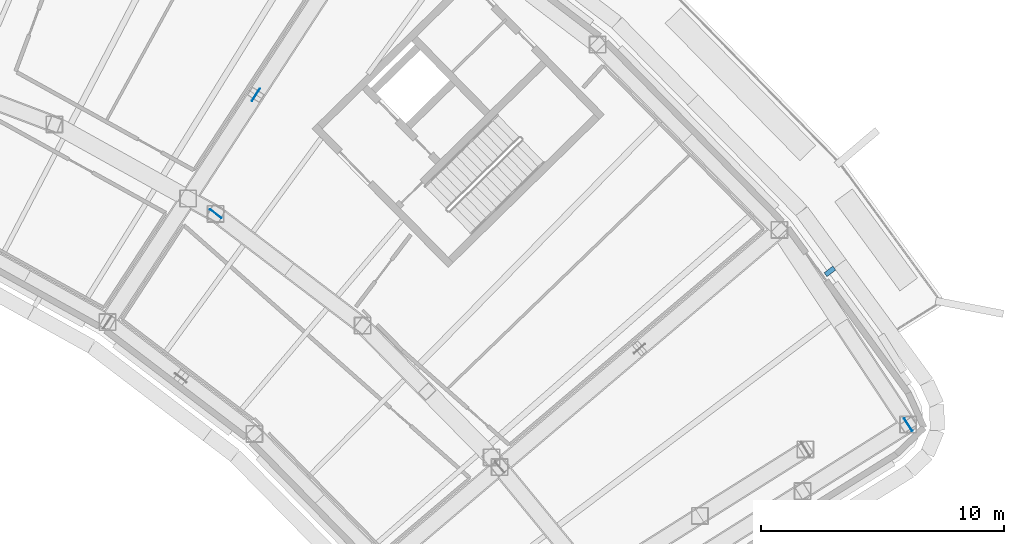
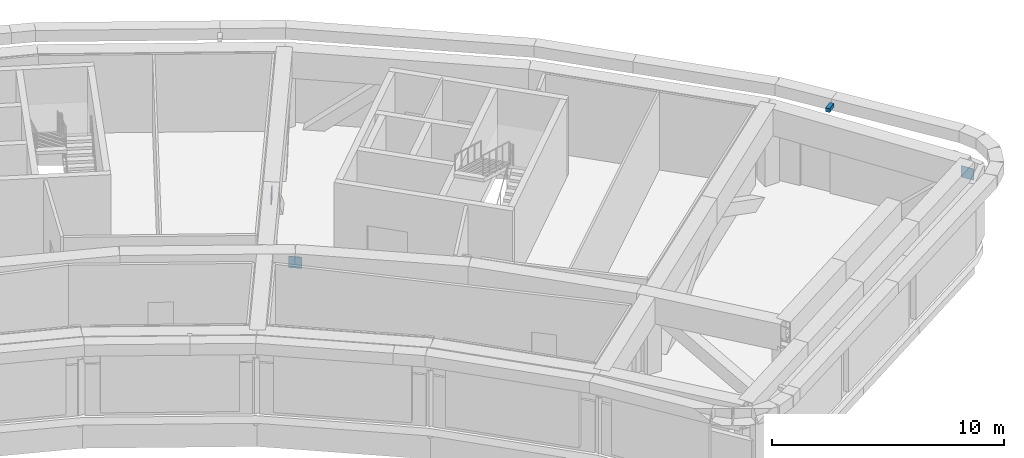
# One storey, part 19 of 25: 4 discrete accessories.
"""IFC4 building model written with IfcOpenShell, lengths in metres."""

import ifcopenshell
import ifcopenshell.guid

model = None  # the IFC model being written
_history = None  # IfcOwnerHistory: only IFC2X3 demands one
_inside = {}  # id of a spatial element -> (the spatial element, [elements in it])
_under = {}  # id of a project, library or spatial element -> (it, [spatial elements below it])
_declared = {}  # id of a project -> (the project, [libraries it declares])
_typed = {}  # id of a type object -> (the type object, [elements of that type])
_made_of = {}  # id of a material, layer set ... -> (it, [elements and type objects made of it])


def new_model(schema):
    """Start an empty IFC model of exactly this schema.

    Asked for "IFC4X3", IfcOpenShell would pick the latest addendum, in which some entities
    have other attributes; the version numbers below select the first issue.
    IFC2X3 requires an IfcOwnerHistory on every rooted entity: one is made here for all.
    """
    global model, _history
    if schema == "IFC4X3":
        model = ifcopenshell.file(schema_version=(4, 3, 0, 0))
    else:
        model = ifcopenshell.file(schema=schema)
    _inside.clear()
    _under.clear()
    _declared.clear()
    _typed.clear()
    _made_of.clear()
    _history = None
    if model.schema == "IFC2X3":
        org = make("IfcOrganization", Name="unknown")
        user = make(
            "IfcPersonAndOrganization",
            ThePerson=make("IfcPerson", FamilyName="unknown"),
            TheOrganization=org,
        )
        app = make(
            "IfcApplication",
            ApplicationDeveloper=org,
            Version="unknown",
            ApplicationFullName="unknown",
            ApplicationIdentifier="unknown",
        )
        _history = make(
            "IfcOwnerHistory",
            OwningUser=user,
            OwningApplication=app,
            ChangeAction="ADDED",
            CreationDate=0,
        )
    return model


def make(cls, **values):
    """One entity of the class cls with the attributes given. An attribute that is None is left unset."""
    return model.create_entity(
        cls, **{name: value for name, value in values.items() if value is not None}
    )


def rooted(cls, **values):
    """An entity with a GlobalId (a new one), such as an element, a storey or a relation."""
    return make(cls, GlobalId=ifcopenshell.guid.new(), OwnerHistory=_history, **values)


def si_unit(unit_type, name, prefix=None):
    """IfcSIUnit, for example si_unit("LENGTHUNIT", "METRE", prefix="MILLI")."""
    return make("IfcSIUnit", UnitType=unit_type, Prefix=prefix, Name=name)


def assignment(units):
    """IfcUnitAssignment: the units of a project."""
    return None if units is None else make("IfcUnitAssignment", Units=units)


def point(xyz):
    """IfcCartesianPoint."""
    return None if xyz is None else make("IfcCartesianPoint", Coordinates=xyz)


def direction(xyz):
    """IfcDirection."""
    return None if xyz is None else make("IfcDirection", DirectionRatios=xyz)


def frame(location, z_axis=None, x_axis=None):
    """IfcAxis2Placement3D, a coordinate frame: its origin and axes. An axis left out is left unset."""
    return make(
        "IfcAxis2Placement3D",
        Location=point(location),
        Axis=direction(z_axis),
        RefDirection=direction(x_axis),
    )


def frame_2d(location, x_axis=None):
    """IfcAxis2Placement2D, a coordinate frame in the plane: its origin and x axis."""
    return make(
        "IfcAxis2Placement2D", Location=point(location), RefDirection=direction(x_axis)
    )


def origin():
    """The frame at (0, 0, 0) with its axes left unset."""
    return frame((0.0, 0.0, 0.0))


def origin_2d():
    """The frame at (0, 0) in the plane with its x axis left unset."""
    return frame_2d((0.0, 0.0))


def place(relative_to, where):
    """IfcLocalPlacement: puts the frame where relative to a parent placement (None: the world)."""
    return make(
        "IfcLocalPlacement", PlacementRelTo=relative_to, RelativePlacement=where
    )


def context(
    kind, dimensions, precision=None, world=None, true_north=None, identifier=None
):
    """IfcGeometricRepresentationContext, for example the 3D "Model" context."""
    return make(
        "IfcGeometricRepresentationContext",
        ContextIdentifier=identifier,
        ContextType=kind,
        CoordinateSpaceDimension=dimensions,
        Precision=precision,
        WorldCoordinateSystem=world,
        TrueNorth=true_north,
    )


def subcontext(parent, identifier, kind, view, scale=None):
    """IfcGeometricRepresentationSubContext, for example "Body" below "Model"."""
    return make(
        "IfcGeometricRepresentationSubContext",
        ContextIdentifier=identifier,
        ContextType=kind,
        ParentContext=parent,
        TargetScale=scale,
        TargetView=view,
    )


def project(units=None, contexts=None):
    """IfcProject with its units and contexts."""
    return rooted(
        "IfcProject",
        Name="project",
        RepresentationContexts=contexts,
        UnitsInContext=assignment(units),
    )


def spatial(cls, under=None, at=None, **own):
    """A site, building, storey or space (cls), placed at a placement, below another one or the project."""
    s = rooted(cls, ObjectPlacement=at, **own)
    if under is not None:
        _under.setdefault(under.id(), (under, []))[1].append(s)
    return s


def profile(cls, at=None, kind="AREA", **sizes):
    """A parametric profile (cls). Its sizes go by their IFC names, for example OverallWidth=200.0."""
    return make(cls, ProfileType=kind, Position=at, **sizes)


def rectangle(**sizes):
    """IfcRectangleProfileDef."""
    return profile("IfcRectangleProfileDef", **sizes)


def extrude(swept, where, along, depth):
    """IfcExtrudedAreaSolid: the profile swept, set in the frame where, extruded along a direction by depth."""
    return make(
        "IfcExtrudedAreaSolid",
        SweptArea=swept,
        Position=where,
        ExtrudedDirection=direction(along),
        Depth=depth,
    )


def shape(context_of_items, identifier, shape_type, items):
    """IfcShapeRepresentation: the items that make up one representation, for example the "Body"."""
    return make(
        "IfcShapeRepresentation",
        ContextOfItems=context_of_items,
        RepresentationIdentifier=identifier,
        RepresentationType=shape_type,
        Items=items,
    )


def material(Name=None, Category=None):
    """IfcMaterial."""
    return make("IfcMaterial", Name=Name, Category=Category)


def made_of(thing, what):
    """Note that an element or type object is made of a material, layer set ...; save() writes the relation."""
    if what is not None:
        _made_of.setdefault(what.id(), (what, []))[1].append(thing)
    return thing


def type_object(cls, material=None, **own):
    """A type object (cls), such as IfcWallType, which elements share."""
    return made_of(rooted(cls, **own), material)


def element(
    cls,
    number,
    at=None,
    inside=None,
    cuts=None,
    type_object=None,
    material=None,
    context=None,
    identifier="Body",
    shape_type=None,
    held_by="IfcProductDefinitionShape",
    body=None,
    shapes=None,
    **own,
):
    """One element of the class cls, such as IfcWall. Its Tag is "e" and its number.

    at: its placement. inside: the storey or other place that contains it. cuts: it is an
    opening in that element (IfcRelVoidsElement). A single representation is given by context,
    identifier, shape_type and body (its items); several are given by shapes. held_by: the class
    of the entity that holds the representations. save() writes the other relations.
    """
    e = rooted(cls, Tag="e%d" % number, ObjectPlacement=at, **own)
    if body is not None:
        shapes = [shape(context, identifier, shape_type, body)]
    if shapes is not None:
        e.Representation = make(held_by, Representations=shapes)
    if inside is not None:
        _inside.setdefault(inside.id(), (inside, []))[1].append(e)
    if cuts is not None:
        rooted(
            "IfcRelVoidsElement", RelatingBuildingElement=cuts, RelatedOpeningElement=e
        )
    if type_object is not None:
        _typed.setdefault(type_object.id(), (type_object, []))[1].append(e)
    return made_of(e, material)


def aggregate(whole, parts):
    """IfcRelAggregates: a whole, such as a stair, and the parts it consists of."""
    return rooted("IfcRelAggregates", RelatingObject=whole, RelatedObjects=parts)


def save(model, path):
    """Write the relations noted so far, then the file.

    IfcRelAggregates (storeys below a building ...), IfcRelContainedInSpatialStructure (elements
    in a storey), IfcRelDefinesByType, IfcRelAssociatesMaterial and IfcRelDeclares: one each for
    every whole, place, type object, material and project.
    """
    for whole, parts in _under.values():
        aggregate(whole, parts)
    for where, things in _inside.values():
        rooted(
            "IfcRelContainedInSpatialStructure",
            RelatedElements=things,
            RelatingStructure=where,
        )
    for kind, things in _typed.values():
        rooted("IfcRelDefinesByType", RelatedObjects=things, RelatingType=kind)
    for what, things in _made_of.values():
        rooted("IfcRelAssociatesMaterial", RelatedObjects=things, RelatingMaterial=what)
    for by, libraries in _declared.values():
        rooted("IfcRelDeclares", RelatingContext=by, RelatedDefinitions=libraries)
    model.write(path)


model = new_model("IFC4")

# Units and contexts
model_context = context("Model", 3, precision=1e-05, world=origin(), true_north=direction((0.0, 1.0)))
body_context = subcontext(model_context, "Body", "Model", "MODEL_VIEW")
ifc_project = project(units=[si_unit("LENGTHUNIT", "METRE"), si_unit("AREAUNIT", "SQUARE_METRE"), si_unit("VOLUMEUNIT", "CUBIC_METRE"), si_unit("PLANEANGLEUNIT", "RADIAN"), si_unit("MASSUNIT", "GRAM", prefix="KILO")], contexts=[model_context])

# Site, building, storey
site_placement = place(None, origin())
site = spatial("IfcSite", under=ifc_project, at=site_placement, CompositionType="ELEMENT")
building_placement = place(site_placement, origin())
building = spatial("IfcBuilding", under=site, at=building_placement, Name="Tuul Gate Civic Tower", CompositionType="ELEMENT")
storey_placement = place(building_placement, frame((0.0, 0.0, 133.699951171875)))
storey = spatial("IfcBuildingStorey", under=building, at=storey_placement, Name="Plant and refuge floor 4", CompositionType="ELEMENT", Elevation=133.699951171875)

# Discrete accessories
ifc_material_1 = material(Name="Steel S355", Category="steel")
discrete_accessory_type_1 = type_object("IfcDiscreteAccessoryType", Name="Gusset plate", PredefinedType="BRACKET", material=ifc_material_1)
for number, where, z_axis, x_axis, name in (
    (1, (40.205322265625, -11.32275390625, 3.103271484375), (0.0, 0.0, 1.0), (0.546710516181, 0.837321689375, 0.0), "Gusset plate"),
    (2, (67.047607421875, -24.8974609375, 3.103271484375), (0.0, 0.0, 1.0), (-0.551597524527, 0.834110406922, 0.0), "Gusset plate"),
    (3, (38.554443359375, -16.21728515625, 3.104248046875), (0.0, 0.0, 1.0), (0.795664473939, -0.60573760401, 0.0), "Gusset plate"),
):
    element("IfcDiscreteAccessory", number, at=place(storey_placement, frame(where, z_axis=z_axis, x_axis=x_axis)), inside=storey, type_object=discrete_accessory_type_1, Name=name, PredefinedType="BRACKET", context=body_context, shape_type="SweptSolid", body=[
        extrude(rectangle(XDim=0.60009765625, YDim=0.030029296875, at=origin_2d()), origin(), (0.0, 0.0, 1.0), 0.60009765625),
    ])
ifc_material_2 = material(Name="Stainless steel", Category="steel")
discrete_accessory_type_2 = type_object("IfcDiscreteAccessoryType", Name="Screen bracket", PredefinedType="BRACKET", material=ifc_material_2)
discrete_accessory_placement = place(storey_placement, frame((63.826416015625, -18.58837890625, 4.05029296875), z_axis=(0.0, 0.0, 1.0), x_axis=(0.796383218377, 0.604792335837, 0.0)))
element("IfcDiscreteAccessory", 4, at=discrete_accessory_placement, inside=storey, type_object=discrete_accessory_type_2, Name="Screen bracket 1", PredefinedType="BRACKET", context=body_context, shape_type="SweptSolid", body=[
    extrude(rectangle(XDim=0.4501953125, YDim=0.199951171875, at=origin_2d()), origin(), (0.0, 0.0, 1.0), 0.199951171875),
])

save(model, "model.ifc")
